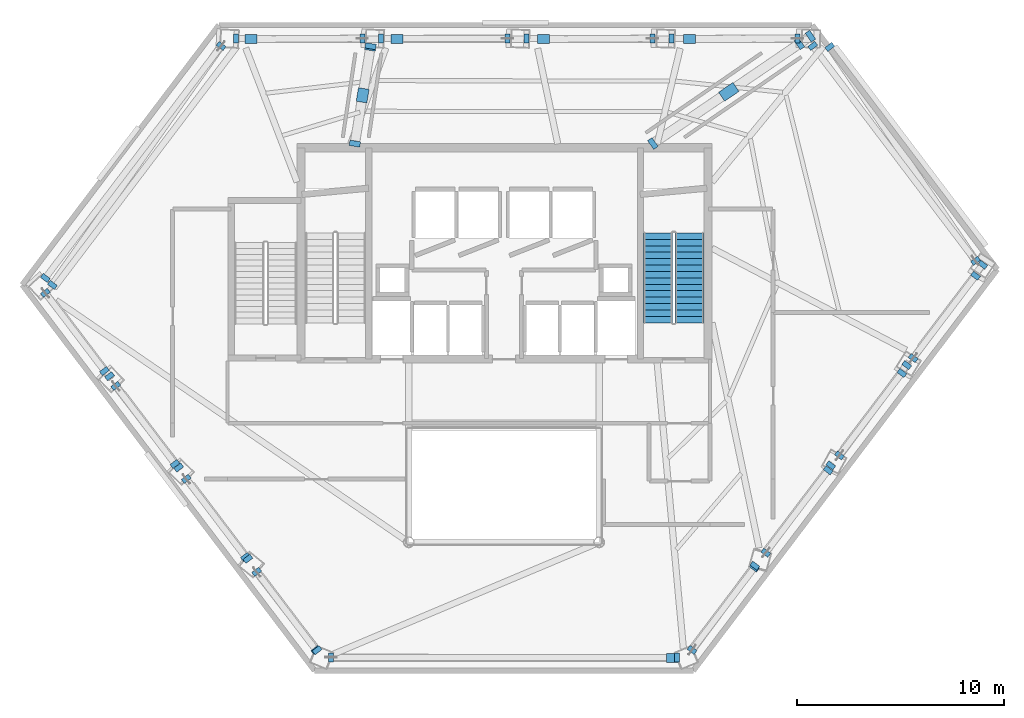
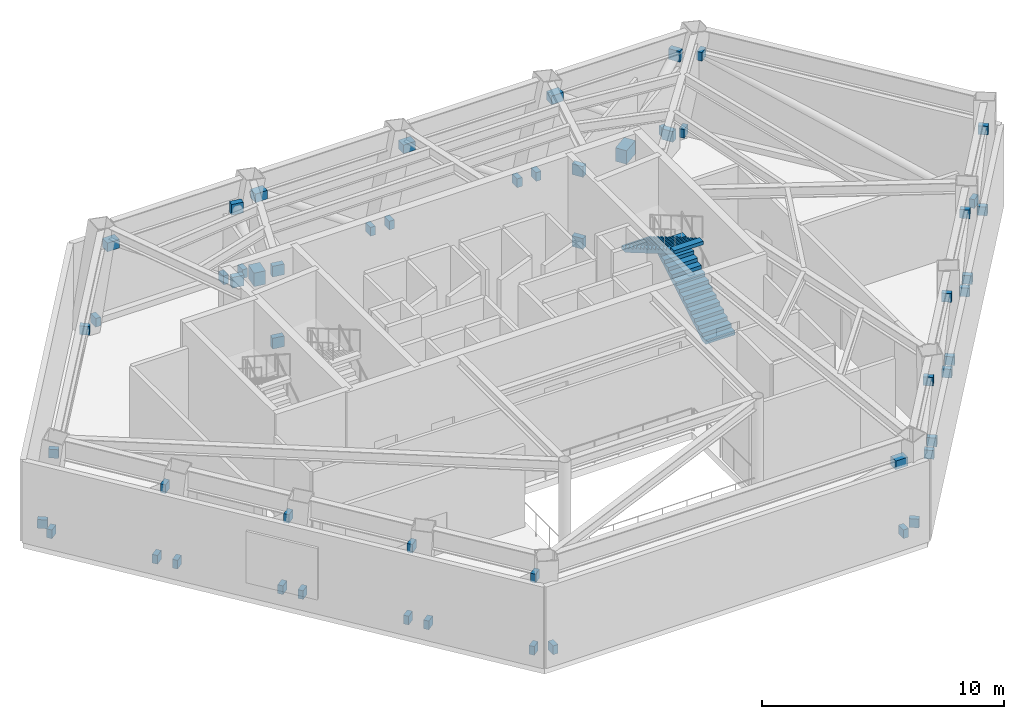
# One storey, part 7 of 9: 55 discrete accessories, 2 stair flights, 1 element without a shape of its own.
"""IFC4 building model written with IfcOpenShell, lengths in metres."""

from ifc_helpers import new_model, si_unit, direction, frame, origin, origin_2d, place, context, subcontext, project, spatial, polyline, rectangle, outline, extrude, material, type_object, element, aggregate, save


model = new_model("IFC4")

# Units and contexts
model_context = context("Model", 3, precision=1e-05, world=origin(), true_north=direction((0.0, 1.0)))
body_context = subcontext(model_context, "Body", "Model", "MODEL_VIEW")
ifc_project = project(units=[si_unit("LENGTHUNIT", "METRE"), si_unit("AREAUNIT", "SQUARE_METRE"), si_unit("VOLUMEUNIT", "CUBIC_METRE"), si_unit("PLANEANGLEUNIT", "RADIAN"), si_unit("MASSUNIT", "GRAM", prefix="KILO")], contexts=[model_context])

# Site, building, storey
site_placement = place(None, origin())
site = spatial("IfcSite", under=ifc_project, at=site_placement, CompositionType="ELEMENT")
building_placement = place(site_placement, origin())
building = spatial("IfcBuilding", under=site, at=building_placement, Name="Zarrinselat Tower", CompositionType="ELEMENT")
storey_placement = place(building_placement, frame((0.0, 0.0, 109.139892578125)))
storey = spatial("IfcBuildingStorey", under=building, at=storey_placement, Name="L26", CompositionType="ELEMENT", Elevation=109.139892578125)

# Stair, stair flights
ifc_material_1 = material(Name="Concrete C40/50", Category="concrete")
stair_type = type_object("IfcStairType", Name="STR-CORE-155", PredefinedType="HALF_TURN_STAIR", material=ifc_material_1)
stair_placement = place(storey_placement, origin())
stair = element("IfcStair", 1, at=stair_placement, inside=storey, type_object=stair_type, Name="L26 Core Exit Stair 2", PredefinedType="HALF_TURN_STAIR")
ifc_material_2 = material(Name="Concrete C40/50", Category="concrete")
stair_flight_type = type_object("IfcStairFlightType", Name="STR-FLT-155", PredefinedType="STRAIGHT", material=ifc_material_2)
stair_flight_1_placement = place(storey_placement, frame((47.360107421875, 35.0, 0.0), z_axis=(0.0, 0.0, 1.0), x_axis=(0.0, 1.0, 0.0)))
stair_flight_1 = element("IfcStairFlight", 2, at=stair_flight_1_placement, type_object=stair_flight_type, Name="ST-2 flight 1", NumberOfRisers=15, NumberOfTreads=14, PredefinedType="STRAIGHT", RiserHeight=0.181333333, TreadLength=0.31, context=body_context, shape_type="SweptSolid", body=[
    extrude(outline(polyline([(0.0, 0.0), (0.0, 0.181396484375), (0.31005859375, 0.181396484375), (0.31005859375, 0.362548828125), (0.6201171875, 0.362548828125), (0.6201171875, 0.5439453125), (0.929931640625, 0.5439453125), (0.929931640625, 0.725341796875), (1.239990234375, 0.725341796875), (1.239990234375, 0.90673828125), (1.550048828125, 0.90673828125), (1.550048828125, 1.087890625), (1.860107421875, 1.087890625), (1.860107421875, 1.269287109375), (2.169921875, 1.269287109375), (2.169921875, 1.45068359375), (2.47998046875, 1.45068359375), (2.47998046875, 1.632080078125), (2.7900390625, 1.632080078125), (2.7900390625, 1.813232421875), (3.10009765625, 1.813232421875), (3.10009765625, 1.99462890625), (3.409912109375, 1.99462890625), (3.409912109375, 2.176025390625), (3.719970703125, 2.176025390625), (3.719970703125, 2.357421875), (4.030029296875, 2.357421875), (4.030029296875, 2.53857421875), (4.340087890625, 2.53857421875), (4.340087890625, 2.719970703125), (4.340087890625, 2.364990234375), (0.296875, 0.0), (0.0, 0.0)])), frame((0.0, 0.699951171875, 0.0), z_axis=(0.0, -1.0, 0.0), x_axis=(1.0, 0.0, 0.0)), (0.0, 0.0, 1.0), 1.39990234375),
])
stair_flight_2_placement = place(storey_placement, frame((45.840087890625, 39.340087890625, 2.72021484375), z_axis=(0.0, 0.0, 1.0), x_axis=(0.0, -1.0, 0.0)))
stair_flight_2 = element("IfcStairFlight", 3, at=stair_flight_2_placement, type_object=stair_flight_type, Name="ST-2 flight 2", NumberOfRisers=15, NumberOfTreads=14, PredefinedType="STRAIGHT", RiserHeight=0.181333333, TreadLength=0.31, context=body_context, shape_type="SweptSolid", body=[
    extrude(outline(polyline([(0.0, 0.0), (0.0, 0.181396484375), (0.31005859375, 0.181396484375), (0.31005859375, 0.362548828125), (0.6201171875, 0.362548828125), (0.6201171875, 0.5439453125), (0.929931640625, 0.5439453125), (0.929931640625, 0.725341796875), (1.239990234375, 0.725341796875), (1.239990234375, 0.90673828125), (1.550048828125, 0.90673828125), (1.550048828125, 1.087890625), (1.860107421875, 1.087890625), (1.860107421875, 1.269287109375), (2.169921875, 1.269287109375), (2.169921875, 1.45068359375), (2.47998046875, 1.45068359375), (2.47998046875, 1.632080078125), (2.7900390625, 1.632080078125), (2.7900390625, 1.813232421875), (3.10009765625, 1.813232421875), (3.10009765625, 1.99462890625), (3.409912109375, 1.99462890625), (3.409912109375, 2.176025390625), (3.719970703125, 2.176025390625), (3.719970703125, 2.357421875), (4.030029296875, 2.357421875), (4.030029296875, 2.53857421875), (4.340087890625, 2.53857421875), (4.340087890625, 2.719970703125), (4.340087890625, 2.364990234375), (0.296875, 0.0), (0.0, 0.0)])), frame((0.0, 0.699951171875, 0.0), z_axis=(0.0, -1.0, 0.0), x_axis=(1.0, 0.0, 0.0)), (0.0, 0.0, 1.0), 1.39990234375),
])
aggregate(stair, [stair_flight_1, stair_flight_2])

# Discrete accessories
ifc_material_3 = material(Name="Steel S460M", Category="steel")
discrete_accessory_type_1 = type_object("IfcDiscreteAccessoryType", Name="ACC-BRACE-END", PredefinedType="BRACKET", material=ifc_material_3)
for number, where, z_axis, x_axis, name in (
    (4, (52.588134765625, 48.730712890625, 0.130126953125), (0.0, 0.0, 1.0), (-1.0, 0.0, 0.0), "L26 Belt Truss 1 End Gusset Bracket EA"),
    (5, (46.4853515625, 48.730712890625, 0.130126953125), (0.0, 0.0, 1.0), (-1.0, 0.0, 0.0), "L26 Belt Truss 1 End Gusset Bracket EB"),
):
    element("IfcDiscreteAccessory", number, at=place(storey_placement, frame(where, z_axis=z_axis, x_axis=x_axis)), inside=storey, type_object=discrete_accessory_type_1, Name=name, PredefinedType="BRACKET", context=body_context, shape_type="SweptSolid", body=[
        extrude(rectangle(XDim=0.239990234375, YDim=0.419921875, at=origin_2d()), origin(), (0.0, 0.0, 1.0), 0.43994140625),
    ])
discrete_accessory_1_placement = place(storey_placement, frame((47.37109375, 48.703125, 3.76220703125), z_axis=(0.0, 0.0, 1.0), x_axis=(-1.0, 0.0, 0.0)))
element("IfcDiscreteAccessory", 6, at=discrete_accessory_1_placement, inside=storey, type_object=discrete_accessory_type_1, Name="L26 Belt Truss 1 End Gusset Bracket ET", PredefinedType="BRACKET", context=body_context, shape_type="SweptSolid", body=[
    extrude(rectangle(XDim=0.580078125, YDim=0.419921875, at=origin_2d()), origin(), (0.0, 0.0, 1.0), 0.43994140625),
])
for number, where, z_axis, x_axis, name in (
    (7, (45.581298828125, 48.730712890625, 0.130126953125), (0.0, 0.0, 1.0), (-1.0, 0.0, 0.0), "L26 Belt Truss 2 End Gusset Bracket EA"),
    (8, (39.478759765625, 48.730712890625, 0.130126953125), (0.0, 0.0, 1.0), (-1.0, 0.0, 0.0), "L26 Belt Truss 2 End Gusset Bracket EB"),
):
    element("IfcDiscreteAccessory", number, at=place(storey_placement, frame(where, z_axis=z_axis, x_axis=x_axis)), inside=storey, type_object=discrete_accessory_type_1, Name=name, PredefinedType="BRACKET", context=body_context, shape_type="SweptSolid", body=[
        extrude(rectangle(XDim=0.239990234375, YDim=0.419921875, at=origin_2d()), origin(), (0.0, 0.0, 1.0), 0.43994140625),
    ])
discrete_accessory_2_placement = place(storey_placement, frame((40.3056640625, 48.703125, 3.76220703125), z_axis=(0.0, 0.0, 1.0), x_axis=(-1.0, 0.0, 0.0)))
element("IfcDiscreteAccessory", 9, at=discrete_accessory_2_placement, inside=storey, type_object=discrete_accessory_type_1, Name="L26 Belt Truss 2 End Gusset Bracket ET", PredefinedType="BRACKET", context=body_context, shape_type="SweptSolid", body=[
    extrude(rectangle(XDim=0.580078125, YDim=0.419921875, at=origin_2d()), origin(), (0.0, 0.0, 1.0), 0.43994140625),
])
for number, where, z_axis, x_axis, name in (
    (10, (38.57470703125, 48.730712890625, 0.130126953125), (0.0, 0.0, 1.0), (-1.0, 0.0, 0.0), "L26 Belt Truss 3 End Gusset Bracket EA"),
    (11, (32.47216796875, 48.730712890625, 0.130126953125), (0.0, 0.0, 1.0), (-1.0, 0.0, 0.0), "L26 Belt Truss 3 End Gusset Bracket EB"),
):
    element("IfcDiscreteAccessory", number, at=place(storey_placement, frame(where, z_axis=z_axis, x_axis=x_axis)), inside=storey, type_object=discrete_accessory_type_1, Name=name, PredefinedType="BRACKET", context=body_context, shape_type="SweptSolid", body=[
        extrude(rectangle(XDim=0.239990234375, YDim=0.419921875, at=origin_2d()), origin(), (0.0, 0.0, 1.0), 0.43994140625),
    ])
discrete_accessory_3_placement = place(storey_placement, frame((33.240478515625, 48.703125, 3.76220703125), z_axis=(0.0, 0.0, 1.0), x_axis=(-1.0, 0.0, 0.0)))
element("IfcDiscreteAccessory", 12, at=discrete_accessory_3_placement, inside=storey, type_object=discrete_accessory_type_1, Name="L26 Belt Truss 3 End Gusset Bracket ET", PredefinedType="BRACKET", context=body_context, shape_type="SweptSolid", body=[
    extrude(rectangle(XDim=0.580078125, YDim=0.419921875, at=origin_2d()), origin(), (0.0, 0.0, 1.0), 0.43994140625),
])
for number, where, z_axis, x_axis, name in (
    (13, (31.568115234375, 48.730712890625, 0.130126953125), (0.0, 0.0, 1.0), (-1.0, 0.0, 0.0), "L26 Belt Truss 4 End Gusset Bracket EA"),
    (14, (25.465576171875, 48.730712890625, 0.130126953125), (0.0, 0.0, 1.0), (-1.0, 0.0, 0.0), "L26 Belt Truss 4 End Gusset Bracket EB"),
):
    element("IfcDiscreteAccessory", number, at=place(storey_placement, frame(where, z_axis=z_axis, x_axis=x_axis)), inside=storey, type_object=discrete_accessory_type_1, Name=name, PredefinedType="BRACKET", context=body_context, shape_type="SweptSolid", body=[
        extrude(rectangle(XDim=0.239990234375, YDim=0.419921875, at=origin_2d()), origin(), (0.0, 0.0, 1.0), 0.43994140625),
    ])
discrete_accessory_4_placement = place(storey_placement, frame((26.175048828125, 48.703125, 3.76220703125), z_axis=(0.0, 0.0, 1.0), x_axis=(-1.0, 0.0, 0.0)))
element("IfcDiscreteAccessory", 15, at=discrete_accessory_4_placement, inside=storey, type_object=discrete_accessory_type_1, Name="L26 Belt Truss 4 End Gusset Bracket ET", PredefinedType="BRACKET", context=body_context, shape_type="SweptSolid", body=[
    extrude(rectangle(XDim=0.580078125, YDim=0.419921875, at=origin_2d()), origin(), (0.0, 0.0, 1.0), 0.43994140625),
])
for number, where, z_axis, x_axis, name in (
    (16, (24.740478515625, 48.370361328125, 0.130126953125), (0.0, 0.0, 1.0), (-0.603854849703, -0.797094298368, 0.0), "L26 Belt Truss 5 End Gusset Bracket EA"),
    (17, (16.2509765625, 37.163818359375, 0.130126953125), (0.0, 0.0, 1.0), (-0.603854849703, -0.797094298368, 0.0), "L26 Belt Truss 5 End Gusset Bracket EB"),
    (18, (16.59130859375, 36.8310546875, 3.76220703125), (0.0, 0.0, 1.0), (-0.603854849703, -0.797094298368, 0.0), "L26 Belt Truss 5 End Gusset Bracket ET"),
    (19, (16.2509765625, 36.443359375, 0.130126953125), (0.0, 0.0, 1.0), (0.603848477468, -0.797099125743, 0.0), "L26 Belt Truss 6 End Gusset Bracket EA"),
    (20, (19.107177734375, 32.6728515625, 0.130126953125), (0.0, 0.0, 1.0), (0.603848477468, -0.797099125743, 0.0), "L26 Belt Truss 6 End Gusset Bracket EB"),
    (21, (19.3525390625, 32.420654296875, 3.76220703125), (0.0, 0.0, 1.0), (0.603848477468, -0.797099125743, 0.0), "L26 Belt Truss 6 End Gusset Bracket ET"),
    (22, (19.6533203125, 31.952392578125, 0.130126953125), (0.0, 0.0, 1.0), (0.603868262976, -0.797084136695, 0.0), "L26 Belt Truss 7 End Gusset Bracket EA"),
    (23, (22.509521484375, 28.181884765625, 0.130126953125), (0.0, 0.0, 1.0), (0.603868262976, -0.797084136695, 0.0), "L26 Belt Truss 7 End Gusset Bracket EB"),
    (24, (22.693603515625, 28.010498046875, 3.76220703125), (0.0, 0.0, 1.0), (0.603868262976, -0.797084136695, 0.0), "L26 Belt Truss 7 End Gusset Bracket ET"),
    (25, (23.055419921875, 27.46142578125, 0.130126953125), (0.0, 0.0, 1.0), (0.603859734751, -0.797090597577, 0.0), "L26 Belt Truss 8 End Gusset Bracket EA"),
    (26, (25.911865234375, 23.69091796875, 0.130126953125), (0.0, 0.0, 1.0), (0.603859734751, -0.797090597577, 0.0), "L26 Belt Truss 8 End Gusset Bracket EB"),
    (27, (26.03466796875, 23.60009765625, 3.76220703125), (0.0, 0.0, 1.0), (0.603859734751, -0.797090597577, 0.0), "L26 Belt Truss 8 End Gusset Bracket ET"),
    (28, (26.457763671875, 22.970458984375, 0.130126953125), (0.0, 0.0, 1.0), (0.603848477468, -0.797099125743, 0.0), "L26 Belt Truss 9 End Gusset Bracket EA"),
    (29, (29.31396484375, 19.199951171875, 0.130126953125), (0.0, 0.0, 1.0), (0.603848477468, -0.797099125743, 0.0), "L26 Belt Truss 9 End Gusset Bracket EB"),
    (30, (29.375732421875, 19.18994140625, 3.76220703125), (0.0, 0.0, 1.0), (0.603848477468, -0.797099125743, 0.0), "L26 Belt Truss 9 End Gusset Bracket ET"),
    (31, (30.0390625, 18.839599609375, 0.130126953125), (0.0, 0.0, 1.0), (1.0, 0.0, 0.0), "L26 Belt Truss 10 End Gusset Bracket EA"),
    (32, (46.760986328125, 18.839599609375, 0.130126953125), (0.0, 0.0, 1.0), (1.0, 0.0, 0.0), "L26 Belt Truss 10 End Gusset Bracket EB"),
):
    element("IfcDiscreteAccessory", number, at=place(storey_placement, frame(where, z_axis=z_axis, x_axis=x_axis)), inside=storey, type_object=discrete_accessory_type_1, Name=name, PredefinedType="BRACKET", context=body_context, shape_type="SweptSolid", body=[
        extrude(rectangle(XDim=0.239990234375, YDim=0.419921875, at=origin_2d()), origin(), (0.0, 0.0, 1.0), 0.43994140625),
    ])
discrete_accessory_5_placement = place(storey_placement, frame((46.54443359375, 18.807373046875, 3.76220703125), z_axis=(0.0, 0.0, 1.0), x_axis=(1.0, 0.0, 0.0)))
element("IfcDiscreteAccessory", 33, at=discrete_accessory_5_placement, inside=storey, type_object=discrete_accessory_type_1, Name="L26 Belt Truss 10 End Gusset Bracket ET", PredefinedType="BRACKET", context=body_context, shape_type="SweptSolid", body=[
    extrude(rectangle(XDim=0.580078125, YDim=0.419921875, at=origin_2d()), origin(), (0.0, 0.0, 1.0), 0.43994140625),
])
for number, where, z_axis, x_axis, name in (
    (34, (47.486083984375, 19.199951171875, 0.130126953125), (0.0, 0.0, 1.0), (0.603862275192, 0.797088672984, 0.0), "L26 Belt Truss 11 End Gusset Bracket EA"),
    (35, (50.4990234375, 23.17724609375, 0.130126953125), (0.0, 0.0, 1.0), (0.603862275192, 0.797088672984, 0.0), "L26 Belt Truss 11 End Gusset Bracket EB"),
    (36, (50.514404296875, 23.269287109375, 3.76220703125), (0.0, 0.0, 1.0), (0.603862275192, 0.797088672984, 0.0), "L26 Belt Truss 11 End Gusset Bracket ET"),
    (37, (51.044921875, 23.897705078125, 0.130126953125), (0.0, 0.0, 1.0), (0.603851462409, 0.797096864469, 0.0), "L26 Belt Truss 12 End Gusset Bracket EA"),
    (38, (54.05810546875, 27.875, 0.130126953125), (0.0, 0.0, 1.0), (0.603851462409, 0.797096864469, 0.0), "L26 Belt Truss 12 End Gusset Bracket EB"),
    (39, (54.1845703125, 28.113525390625, 3.76220703125), (0.0, 0.0, 1.0), (0.603851462409, 0.797096864469, 0.0), "L26 Belt Truss 12 End Gusset Bracket ET"),
    (40, (54.60400390625, 28.595703125, 0.130126953125), (0.0, 0.0, 1.0), (0.603851462409, 0.797096864469, 0.0), "L26 Belt Truss 13 End Gusset Bracket EA"),
    (41, (57.616943359375, 32.572998046875, 0.130126953125), (0.0, 0.0, 1.0), (0.603851462409, 0.797096864469, 0.0), "L26 Belt Truss 13 End Gusset Bracket EB"),
    (42, (57.8544921875, 32.9580078125, 3.76220703125), (0.0, 0.0, 1.0), (0.603851462409, 0.797096864469, 0.0), "L26 Belt Truss 13 End Gusset Bracket ET"),
    (43, (58.162841796875, 33.29345703125, 0.130126953125), (0.0, 0.0, 1.0), (0.603862275192, 0.797088672984, 0.0), "L26 Belt Truss 14 End Gusset Bracket EA"),
    (44, (61.17578125, 37.270751953125, 0.130126953125), (0.0, 0.0, 1.0), (0.603862275192, 0.797088672984, 0.0), "L26 Belt Truss 14 End Gusset Bracket EB"),
    (45, (61.5244140625, 37.802490234375, 3.76220703125), (0.0, 0.0, 1.0), (0.603862275192, 0.797088672984, 0.0), "L26 Belt Truss 14 End Gusset Bracket ET"),
    (46, (61.17578125, 37.9912109375, 0.130126953125), (0.0, 0.0, 1.0), (-0.603853698519, 0.797095170469, 0.0), "L26 Belt Truss 15 End Gusset Bracket EA"),
    (47, (53.31298828125, 48.370361328125, 0.130126953125), (0.0, 0.0, 1.0), (-0.603853698519, 0.797095170469, 0.0), "L26 Belt Truss 15 End Gusset Bracket EB"),
    (48, (54.13623046875, 48.320556640625, 3.76220703125), (0.0, 0.0, 1.0), (-0.603853698519, 0.797095170469, 0.0), "L26 Belt Truss 15 End Gusset Bracket ET"),
):
    element("IfcDiscreteAccessory", number, at=place(storey_placement, frame(where, z_axis=z_axis, x_axis=x_axis)), inside=storey, type_object=discrete_accessory_type_1, Name=name, PredefinedType="BRACKET", context=body_context, shape_type="SweptSolid", body=[
        extrude(rectangle(XDim=0.239990234375, YDim=0.419921875, at=origin_2d()), origin(), (0.0, 0.0, 1.0), 0.43994140625),
    ])
for number, where, z_axis, x_axis, name in (
    (49, (31.198486328125, 43.652099609375, 0.080078125), (0.0, 0.0, 1.0), (0.159728782463, 0.98716093726, 0.0), "L26 Outrigger NW End Gusset Bracket CB"),
    (50, (31.198486328125, 43.652099609375, 3.712158203125), (0.0, 0.0, 1.0), (0.159728782463, 0.98716093726, 0.0), "L26 Outrigger NW End Gusset Bracket CT"),
    (51, (31.947998046875, 48.284423828125, 0.080078125), (0.0, 0.0, 1.0), (0.159728782463, 0.98716093726, 0.0), "L26 Outrigger NW End Gusset Bracket PB"),
    (52, (31.959716796875, 48.357177734375, 3.712158203125), (0.0, 0.0, 1.0), (0.159728782463, 0.98716093726, 0.0), "L26 Outrigger NW End Gusset Bracket PT"),
    (53, (45.591796875, 43.656494140625, 0.080078125), (0.0, 0.0, 1.0), (0.826441116306, 0.563023162294, 0.0), "L26 Outrigger NE End Gusset Bracket CB"),
    (54, (45.591796875, 43.656494140625, 3.712158203125), (0.0, 0.0, 1.0), (0.826441116306, 0.563023162294, 0.0), "L26 Outrigger NE End Gusset Bracket CT"),
    (55, (52.66650390625, 48.47607421875, 0.080078125), (0.0, 0.0, 1.0), (0.826441116306, 0.563023162294, 0.0), "L26 Outrigger NE End Gusset Bracket PB"),
    (56, (53.204345703125, 48.842529296875, 3.712158203125), (0.0, 0.0, 1.0), (0.826441116306, 0.563023162294, 0.0), "L26 Outrigger NE End Gusset Bracket PT"),
):
    element("IfcDiscreteAccessory", number, at=place(storey_placement, frame(where, z_axis=z_axis, x_axis=x_axis)), inside=storey, type_object=discrete_accessory_type_1, Name=name, PredefinedType="BRACKET", context=body_context, shape_type="SweptSolid", body=[
        extrude(rectangle(XDim=0.260009765625, YDim=0.52001953125, at=origin_2d()), origin(), (0.0, 0.0, 1.0), 0.5400390625),
    ])
ifc_material_4 = material(Name="Steel S460M", Category="steel")
discrete_accessory_type_2 = type_object("IfcDiscreteAccessoryType", Name="ACC-XBRACE-NODE", PredefinedType="BRACKET", material=ifc_material_4)
discrete_accessory_6_placement = place(storey_placement, frame((31.576171875, 45.986328125, 1.81201171875), z_axis=(0.0, 0.0, 1.0), x_axis=(0.159728782463, 0.98716093726, 0.0)))
element("IfcDiscreteAccessory", 57, at=discrete_accessory_6_placement, inside=storey, type_object=discrete_accessory_type_2, Name="L26 Outrigger NW X-Brace Central Gusset Node", PredefinedType="BRACKET", context=body_context, shape_type="SweptSolid", body=[
    extrude(rectangle(XDim=0.66064453125, YDim=0.52001953125, at=origin_2d()), origin(), (0.0, 0.0, 1.0), 0.679931640625),
])
discrete_accessory_7_placement = place(storey_placement, frame((49.2587890625, 46.154541015625, 1.759765625), z_axis=(0.0, 0.0, 1.0), x_axis=(0.826441116306, 0.563023162294, 0.0)))
element("IfcDiscreteAccessory", 58, at=discrete_accessory_7_placement, inside=storey, type_object=discrete_accessory_type_2, Name="L26 Outrigger NE X-Brace Central Gusset Node", PredefinedType="BRACKET", context=body_context, shape_type="SweptSolid", body=[
    extrude(rectangle(XDim=0.8388671875, YDim=0.52001953125, at=origin_2d()), origin(), (0.0, 0.0, 1.0), 0.679931640625),
])

save(model, "model.ifc")
